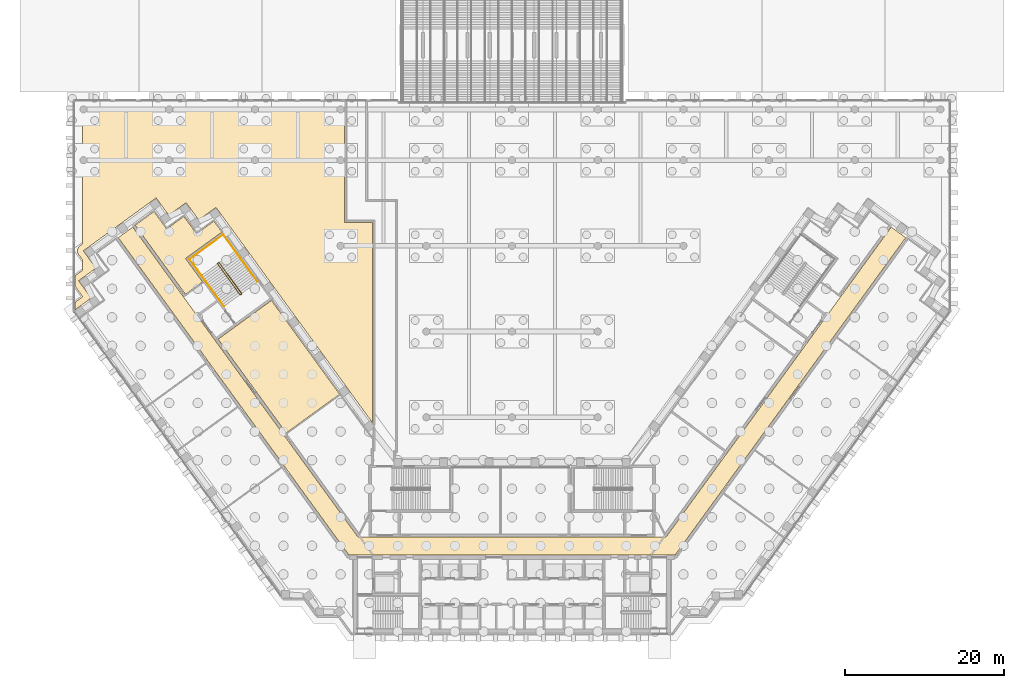
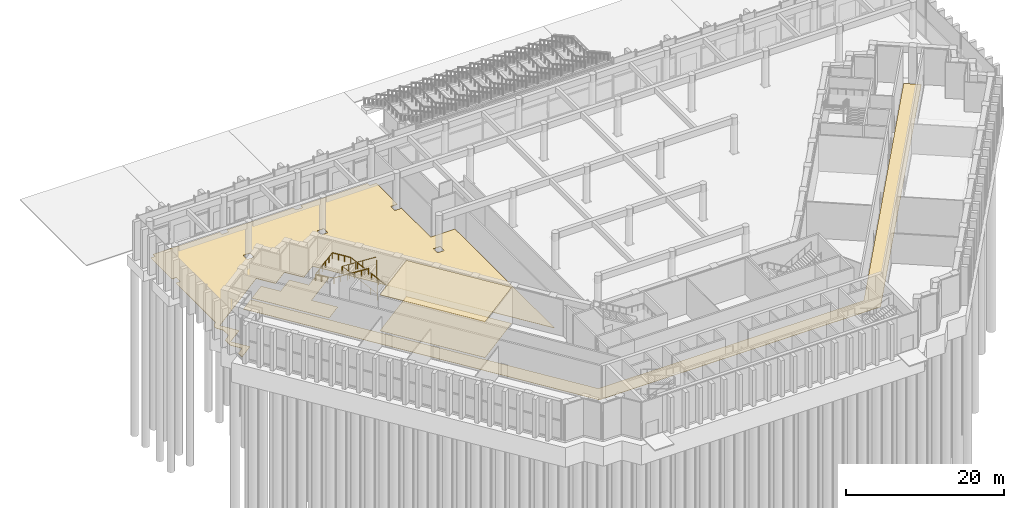
# One storey, part 26 of 32: 5 coverings, 2 railings.
"""IFC4 building model written with IfcOpenShell, lengths in metres."""

from ifc_helpers import new_model, si_unit, direction, frame, origin, origin_2d, place, context, subcontext, project, spatial, polyline, circle, outline, extrude, material, layer, layer_set, type_object, element, save


model = new_model("IFC4")

# Units and contexts
model_context = context("Model", 3, precision=1e-05, world=origin(), true_north=direction((0.0, 1.0)))
body_context = subcontext(model_context, "Body", "Model", "MODEL_VIEW")
ifc_project = project(units=[si_unit("LENGTHUNIT", "METRE"), si_unit("AREAUNIT", "SQUARE_METRE"), si_unit("VOLUMEUNIT", "CUBIC_METRE"), si_unit("PLANEANGLEUNIT", "RADIAN"), si_unit("MASSUNIT", "GRAM", prefix="KILO")], contexts=[model_context])

# Site, building, storey
site_placement = place(None, origin())
site = spatial("IfcSite", under=ifc_project, at=site_placement, CompositionType="ELEMENT")
building_placement = place(site_placement, origin())
building = spatial("IfcBuilding", under=site, at=building_placement, Name="Quipu Civic Tower", CompositionType="ELEMENT")
storey_placement = place(building_placement, origin())
storey = spatial("IfcBuildingStorey", under=building, at=storey_placement, Name="L00", CompositionType="ELEMENT", Elevation=0.0)

# Coverings
ifc_material_1 = material(Name="Mineral fibre acoustic ceiling tile")
ifc_layer_1 = layer(ifc_material_1, 0.0400390625)
ifc_layer_set_1 = layer_set([ifc_layer_1], Name="Mineral fibre acoustic ceiling tile")
covering_type_1 = type_object("IfcCoveringType", Name="Acoustic ceiling tile 600 x 600", PredefinedType="CEILING", material=ifc_layer_set_1)
covering_1_placement = place(storey_placement, frame((0.0, 0.0, 5.56005859375)))
element("IfcCovering", 1, at=covering_1_placement, inside=storey, type_object=covering_type_1, Name="Acoustic ceiling tile 600 x 600", PredefinedType="CEILING", context=body_context, shape_type="SweptSolid", body=[
    extrude(outline(polyline([(-37.0380859375, 26.0380859375), (-30.31494140625, 30.922119140625), (-21.73095703125, 19.10595703125), (-28.4541015625, 14.221923828125), (-37.0380859375, 26.0380859375)])), origin(), (0.0, 0.0, 1.0), 0.0400390625),
])
ifc_material_2 = material(Name="Carpet tile on raised access floor")
ifc_layer_2 = layer(ifc_material_2, 0.02001953125)
ifc_layer_set_2 = layer_set([ifc_layer_2], Name="Carpet tile on raised access floor")
covering_type_2 = type_object("IfcCoveringType", Name="Carpet tile floor finish 20", PredefinedType="FLOORING", material=ifc_layer_set_2)
covering_2_placement = place(storey_placement, origin())
element("IfcCovering", 2, at=covering_2_placement, inside=storey, type_object=covering_type_2, Name="Carpet tile floor finish 20", PredefinedType="FLOORING", context=body_context, shape_type="SweptSolid", body=[
    extrude(outline(polyline([(-47.471923828125, 40.39794921875), (-45.116943359375, 42.10791015625), (-43.531982421875, 39.925048828125), (-41.346923828125, 41.510986328125), (-39.760009765625, 39.326904296875), (-37.574951171875, 40.9130859375), (-36.570068359375, 39.530029296875), (-41.139892578125, 36.208984375), (-38.998046875, 33.260009765625), (-41.15087890625, 31.697021484375), (-47.471923828125, 40.39794921875)])), origin(), (0.0, 0.0, 1.0), 0.02001953125),
])
covering_3_placement = place(storey_placement, origin())
element("IfcCovering", 3, at=covering_3_placement, inside=storey, type_object=covering_type_2, Name="Carpet tile floor finish 20", PredefinedType="FLOORING", context=body_context, shape_type="SweptSolid", body=[
    extrude(outline(polyline([(-37.0380859375, 26.0380859375), (-30.31494140625, 30.922119140625), (-21.73095703125, 19.10595703125), (-28.4541015625, 14.221923828125), (-37.0380859375, 26.0380859375)])), origin(), (0.0, 0.0, 1.0), 0.02001953125),
])

# Railings
ifc_material_3 = material(Name="Stainless steel", Category="steel")
railing_type_1 = type_object("IfcRailingType", Name="Stair guard 1100", PredefinedType="GUARDRAIL", material=ifc_material_3)
railing_1_placement = place(storey_placement, frame((-34.078857421875, 31.79736328125, 0.176513671875)))
element("IfcRailing", 4, at=railing_1_placement, inside=storey, type_object=railing_type_1, Name="Stair 6 guard", PredefinedType="GUARDRAIL", context=body_context, shape_type="SweptSolid", body=[
    extrude(circle(Radius=0.02392578125, at=origin_2d()), frame((0.0, 0.0, 1.076171875), z_axis=(-0.506622290629, 0.697329019968, 0.507016856276), x_axis=(-0.809026317077, -0.587772420479, 0.0)), (0.0, 0.0, 1.0), 5.56884765625),
    extrude(circle(Radius=0.02392578125, at=origin_2d()), frame((-2.8212890625, 3.88330078125, 3.8994140625), z_axis=(-0.987846838465, 0.155430446612, 0.0), x_axis=(-0.155430446612, -0.987846838465, 0.0)), (0.0, 0.0, 1.0), 0.07080078125),
    extrude(circle(Radius=0.02392578125, at=origin_2d()), frame((-2.89111328125, 3.894287109375, 3.8994140625), z_axis=(-0.809649071907, -0.586914287065, 0.0), x_axis=(0.586914287065, -0.809649071907, 0.0)), (0.0, 0.0, 1.0), 0.150146484375),
    extrude(circle(Radius=0.02392578125, at=origin_2d()), frame((-3.0126953125, 3.80615234375, 3.8994140625), z_axis=(-0.057780222547, -0.367225414408, 0.928335575584), x_axis=(0.987846838465, -0.155430446612, 0.0)), (0.0, 0.0, 1.0), 0.190185546875),
    extrude(circle(Radius=0.02392578125, at=origin_2d()), frame((-3.023681640625, 3.736328125, 4.076171875), z_axis=(0.506622290629, -0.697329019968, 0.507016856276), x_axis=(0.809026317077, 0.587772420479, 0.0)), (0.0, 0.0, 1.0), 5.56884765625),
    extrude(circle(Radius=0.02392578125, at=origin_2d()), frame((-0.202392578125, -0.14697265625, 6.8994140625), z_axis=(0.031882188822, 0.012850474066, -0.999409021048), x_axis=(-0.373837031195, 0.92749440651, 0.0)), (0.0, 0.0, 1.0), 6.003662109375),
    extrude(circle(Radius=0.02392578125, at=origin_2d()), frame((-0.010986328125, -0.06982421875, 0.8994140625), z_axis=(-0.809087927272, -0.587687609145, 0.0), x_axis=(0.587687609145, -0.809087927272, 0.0)), (0.0, 0.0, 1.0), 0.14990234375),
    extrude(circle(Radius=0.02099609375, at=origin_2d()), origin(), (0.0, 0.0, 1.0), 1.052001953125),
    extrude(circle(Radius=0.02099609375, at=origin_2d()), frame((-0.564208984375, 0.776611328125, 0.564697265625)), (0.0, 0.0, 1.0), 1.052001953125),
    extrude(circle(Radius=0.02099609375, at=origin_2d()), frame((-1.12841796875, 1.55322265625, 1.12939453125)), (0.0, 0.0, 1.0), 1.052001953125),
    extrude(circle(Radius=0.02099609375, at=origin_2d()), frame((-1.69287109375, 2.330078125, 1.694091796875)), (0.0, 0.0, 1.0), 1.052001953125),
    extrude(circle(Radius=0.02099609375, at=origin_2d()), frame((-2.257080078125, 3.106689453125, 2.2587890625)), (0.0, 0.0, 1.0), 1.052001953125),
    extrude(circle(Radius=0.02099609375, at=origin_2d()), frame((-2.8212890625, 3.88330078125, 2.823486328125)), (0.0, 0.0, 1.0), 1.052001953125),
    extrude(circle(Radius=0.02099609375, at=origin_2d()), frame((-2.89111328125, 3.894287109375, 2.823486328125)), (0.0, 0.0, 1.0), 1.052001953125),
    extrude(circle(Radius=0.02099609375, at=origin_2d()), frame((-3.0126953125, 3.80615234375, 2.823486328125)), (0.0, 0.0, 1.0), 1.052001953125),
    extrude(circle(Radius=0.02099609375, at=origin_2d()), frame((-3.023681640625, 3.736328125, 3.0)), (0.0, 0.0, 1.0), 1.052001953125),
    extrude(circle(Radius=0.02099609375, at=origin_2d()), frame((-2.45947265625, 2.959716796875, 3.564697265625)), (0.0, 0.0, 1.0), 1.052001953125),
    extrude(circle(Radius=0.02099609375, at=origin_2d()), frame((-1.895263671875, 2.18310546875, 4.12939453125)), (0.0, 0.0, 1.0), 1.052001953125),
    extrude(circle(Radius=0.02099609375, at=origin_2d()), frame((-1.330810546875, 1.40625, 4.694091796875)), (0.0, 0.0, 1.0), 1.052001953125),
    extrude(circle(Radius=0.02099609375, at=origin_2d()), frame((-0.7666015625, 0.629638671875, 5.2587890625)), (0.0, 0.0, 1.0), 1.052001953125),
    extrude(circle(Radius=0.02099609375, at=origin_2d()), frame((-0.202392578125, -0.14697265625, 5.823486328125)), (0.0, 0.0, 1.0), 1.052001953125),
    extrude(circle(Radius=0.02099609375, at=origin_2d()), frame((-0.17041015625, -0.134033203125, 4.823486328125)), (0.0, 0.0, 1.0), 1.052001953125),
    extrude(circle(Radius=0.02099609375, at=origin_2d()), frame((-0.138671875, -0.121337890625, 3.823486328125)), (0.0, 0.0, 1.0), 1.052001953125),
    extrude(circle(Radius=0.02099609375, at=origin_2d()), frame((-0.106689453125, -0.1083984375, 2.823486328125)), (0.0, 0.0, 1.0), 1.052001953125),
    extrude(circle(Radius=0.02099609375, at=origin_2d()), frame((-0.07470703125, -0.095458984375, 1.823486328125)), (0.0, 0.0, 1.0), 1.052001953125),
    extrude(circle(Radius=0.02099609375, at=origin_2d()), frame((-0.04296875, -0.082763671875, 0.823486328125)), (0.0, 0.0, 1.0), 1.052001953125),
    extrude(circle(Radius=0.02099609375, at=origin_2d()), frame((-0.010986328125, -0.06982421875, -0.176513671875)), (0.0, 0.0, 1.0), 1.052001953125),
    extrude(circle(Radius=0.02099609375, at=origin_2d()), frame((-0.13232421875, -0.157958984375, -0.176513671875)), (0.0, 0.0, 1.0), 1.052001953125),
])
ifc_material_4 = material(Name="Stainless steel", Category="steel")
railing_type_2 = type_object("IfcRailingType", Name="Stair handrail", PredefinedType="HANDRAIL", material=ifc_material_4)
railing_2_placement = place(storey_placement, frame((-32.056396484375, 33.266845703125, 0.176513671875)))
element("IfcRailing", 5, at=railing_2_placement, inside=storey, type_object=railing_type_2, Name="Stair 6 handrail", PredefinedType="HANDRAIL", context=body_context, shape_type="SweptSolid", body=[
    extrude(circle(Radius=0.02392578125, at=origin_2d()), frame((0.0, 0.0, 0.8759765625), z_axis=(-0.506622290629, 0.697329019968, 0.507016856276), x_axis=(-0.809026317077, -0.587772420479, 0.0)), (0.0, 0.0, 1.0), 5.56884765625),
    extrude(circle(Radius=0.02392578125, at=origin_2d()), frame((-2.8212890625, 3.88330078125, 3.69921875), z_axis=(-0.587767432704, 0.809029940764, 0.0), x_axis=(-0.809029940764, -0.587767432704, 0.0)), (0.0, 0.0, 1.0), 2.550048828125),
    extrude(circle(Radius=0.02392578125, at=origin_2d()), frame((-4.320068359375, 5.9462890625, 3.69921875), z_axis=(-0.809009483706, -0.587795589702, 0.0), x_axis=(0.587795589702, -0.809009483706, 0.0)), (0.0, 0.0, 1.0), 5.25),
    extrude(circle(Radius=0.02392578125, at=origin_2d()), frame((-8.5673828125, 2.8603515625, 3.69921875), z_axis=(0.586364261901, -0.80709855238, 0.069057071405), x_axis=(0.809029940764, 0.587767432704, 0.0)), (0.0, 0.0, 1.0), 2.55615234375),
    extrude(circle(Radius=0.02392578125, at=origin_2d()), frame((-7.068603515625, 0.79736328125, 3.8759765625), z_axis=(0.506622290629, -0.697329019968, 0.507016856276), x_axis=(0.809026317077, 0.587772420479, 0.0)), (0.0, 0.0, 1.0), 5.56884765625),
    extrude(circle(Radius=0.02099609375, at=origin_2d()), origin(), (0.0, 0.0, 1.0), 0.851806640625),
    extrude(circle(Radius=0.02099609375, at=origin_2d()), frame((-0.564208984375, 0.776611328125, 0.564697265625)), (0.0, 0.0, 1.0), 0.851806640625),
    extrude(circle(Radius=0.02099609375, at=origin_2d()), frame((-1.12841796875, 1.55322265625, 1.12939453125)), (0.0, 0.0, 1.0), 0.851806640625),
    extrude(circle(Radius=0.02099609375, at=origin_2d()), frame((-1.69287109375, 2.330078125, 1.694091796875)), (0.0, 0.0, 1.0), 0.851806640625),
    extrude(circle(Radius=0.02099609375, at=origin_2d()), frame((-2.257080078125, 3.106689453125, 2.2587890625)), (0.0, 0.0, 1.0), 0.851806640625),
    extrude(circle(Radius=0.02099609375, at=origin_2d()), frame((-2.8212890625, 3.88330078125, 2.823486328125)), (0.0, 0.0, 1.0), 0.851806640625),
    extrude(circle(Radius=0.02099609375, at=origin_2d()), frame((-3.32080078125, 4.571044921875, 2.823486328125)), (0.0, 0.0, 1.0), 0.851806640625),
    extrude(circle(Radius=0.02099609375, at=origin_2d()), frame((-3.820556640625, 5.258544921875, 2.823486328125)), (0.0, 0.0, 1.0), 0.851806640625),
    extrude(circle(Radius=0.02099609375, at=origin_2d()), frame((-4.320068359375, 5.9462890625, 2.823486328125)), (0.0, 0.0, 1.0), 0.851806640625),
    extrude(circle(Radius=0.02099609375, at=origin_2d()), frame((-5.16943359375, 5.3291015625, 2.823486328125)), (0.0, 0.0, 1.0), 0.851806640625),
    extrude(circle(Radius=0.02099609375, at=origin_2d()), frame((-6.01904296875, 4.7119140625, 2.823486328125)), (0.0, 0.0, 1.0), 0.851806640625),
    extrude(circle(Radius=0.02099609375, at=origin_2d()), frame((-6.868408203125, 4.0947265625, 2.823486328125)), (0.0, 0.0, 1.0), 0.851806640625),
    extrude(circle(Radius=0.02099609375, at=origin_2d()), frame((-7.718017578125, 3.4775390625, 2.823486328125)), (0.0, 0.0, 1.0), 0.851806640625),
    extrude(circle(Radius=0.02099609375, at=origin_2d()), frame((-8.5673828125, 2.8603515625, 2.823486328125)), (0.0, 0.0, 1.0), 0.851806640625),
    extrude(circle(Radius=0.02099609375, at=origin_2d()), frame((-8.06787109375, 2.172607421875, 2.88232421875)), (0.0, 0.0, 1.0), 0.851806640625),
    extrude(circle(Radius=0.02099609375, at=origin_2d()), frame((-7.568115234375, 1.485107421875, 2.941162109375)), (0.0, 0.0, 1.0), 0.851806640625),
    extrude(circle(Radius=0.02099609375, at=origin_2d()), frame((-7.068603515625, 0.79736328125, 3.0)), (0.0, 0.0, 1.0), 0.851806640625),
    extrude(circle(Radius=0.02099609375, at=origin_2d()), frame((-6.50439453125, 0.020751953125, 3.564697265625)), (0.0, 0.0, 1.0), 0.851806640625),
    extrude(circle(Radius=0.02099609375, at=origin_2d()), frame((-5.940185546875, -0.755859375, 4.12939453125)), (0.0, 0.0, 1.0), 0.851806640625),
    extrude(circle(Radius=0.02099609375, at=origin_2d()), frame((-5.375732421875, -1.53271484375, 4.694091796875)), (0.0, 0.0, 1.0), 0.851806640625),
    extrude(circle(Radius=0.02099609375, at=origin_2d()), frame((-4.8115234375, -2.309326171875, 5.2587890625)), (0.0, 0.0, 1.0), 0.851806640625),
    extrude(circle(Radius=0.02099609375, at=origin_2d()), frame((-4.247314453125, -3.0859375, 5.823486328125)), (0.0, 0.0, 1.0), 0.851806640625),
])

# Coverings
ifc_material_5 = material(Name="Terrazzo floor finish")
ifc_layer_3 = layer(ifc_material_5, 0.0400390625)
ifc_layer_set_3 = layer_set([ifc_layer_3], Name="Terrazzo floor finish")
covering_type_3 = type_object("IfcCoveringType", Name="Terrazzo floor finish 40", PredefinedType="FLOORING", material=ifc_layer_set_3)
covering_4_placement = place(storey_placement, origin())
element("IfcCovering", 6, at=covering_4_placement, inside=storey, type_object=covering_type_3, Name="Terrazzo floor finish 40", PredefinedType="FLOORING", context=body_context, shape_type="SweptSolid", body=[
    extrude(outline(polyline([(47.787109375, 40.16796875), (49.615966796875, 38.840087890625), (20.574951171875, -1.1298828125), (-20.574951171875, -1.1298828125), (-49.615966796875, 38.840087890625), (-47.787109375, 40.16796875), (-19.425048828125, 1.1298828125), (19.425048828125, 1.1298828125), (47.787109375, 40.16796875)])), origin(), (0.0, 0.0, 1.0), 0.0400390625),
])
covering_5_placement = place(storey_placement, origin())
element("IfcCovering", 7, at=covering_5_placement, inside=storey, type_object=covering_type_3, Name="Terrazzo floor finish 40", PredefinedType="FLOORING", context=body_context, shape_type="SweptSolid", body=[
    extrude(outline(polyline([(-55.013916015625, 29.806884765625), (-55.0439453125, 29.80810546875), (-55.0439453125, 30.705078125), (-54.14306640625, 31.361083984375), (-54.14599609375, 31.447998046875), (-55.0439453125, 32.68505859375), (-55.0439453125, 34.0390625), (-54.14404296875, 34.698974609375), (-54.14404296875, 36.0390625), (-54.64404296875, 36.73388671875), (-54.714111328125, 36.885986328125), (-54.736083984375, 36.9619140625), (-54.759033203125, 37.126953125), (-54.7490234375, 37.29296875), (-54.73291015625, 37.368896484375), (-54.675048828125, 37.527099609375), (-54.635986328125, 37.597900390625), (-54.590087890625, 37.6650390625), (-54.47705078125, 37.787109375), (-54.14404296875, 38.035888671875), (-54.14404296875, 48.10009765625), (-53.550048828125, 48.10009765625), (-53.544921875, 48.10009765625), (-53.5400390625, 48.10107421875), (-53.534912109375, 48.10205078125), (-53.531005859375, 48.10400390625), (-53.52587890625, 48.10595703125), (-53.52197265625, 48.10791015625), (-53.51806640625, 48.111083984375), (-53.514892578125, 48.114990234375), (-53.510986328125, 48.117919921875), (-53.508056640625, 48.1220703125), (-53.506103515625, 48.1259765625), (-53.50390625, 48.131103515625), (-53.501953125, 48.135009765625), (-53.5009765625, 48.139892578125), (-53.5, 48.14501953125), (-53.5, 48.14990234375), (-53.5, 49.050048828125), (-53.5, 49.054931640625), (-53.5009765625, 49.06005859375), (-53.501953125, 49.06494140625), (-53.50390625, 49.069091796875), (-53.506103515625, 49.073974609375), (-53.508056640625, 49.077880859375), (-53.510986328125, 49.08203125), (-53.514892578125, 49.0849609375), (-53.51806640625, 49.089111328125), (-53.52197265625, 49.092041015625), (-53.52587890625, 49.093994140625), (-53.531005859375, 49.095947265625), (-53.534912109375, 49.097900390625), (-53.5400390625, 49.09912109375), (-53.544921875, 49.10009765625), (-53.550048828125, 49.10009765625), (-54.14404296875, 49.10009765625), (-54.14404296875, 54.5), (-53.550048828125, 54.5), (-53.544921875, 54.5), (-53.5400390625, 54.5009765625), (-53.534912109375, 54.501953125), (-53.531005859375, 54.50390625), (-53.52587890625, 54.506103515625), (-53.52197265625, 54.508056640625), (-53.51806640625, 54.510986328125), (-53.514892578125, 54.514892578125), (-53.510986328125, 54.51806640625), (-53.508056640625, 54.52197265625), (-53.506103515625, 54.52587890625), (-53.50390625, 54.531005859375), (-53.501953125, 54.534912109375), (-53.5009765625, 54.5400390625), (-53.5, 54.544921875), (-53.5, 54.550048828125), (-53.5, 55.030029296875), (-43.699951171875, 55.030029296875), (-43.699951171875, 54.550048828125), (-43.699951171875, 54.544921875), (-43.698974609375, 54.5400390625), (-43.697998046875, 54.534912109375), (-43.696044921875, 54.531005859375), (-43.694091796875, 54.52587890625), (-43.69189453125, 54.52197265625), (-43.68896484375, 54.51806640625), (-43.68505859375, 54.514892578125), (-43.681884765625, 54.510986328125), (-43.677978515625, 54.508056640625), (-43.674072265625, 54.506103515625), (-43.6689453125, 54.50390625), (-43.6650390625, 54.501953125), (-43.659912109375, 54.5009765625), (-43.655029296875, 54.5), (-43.64990234375, 54.5), (-42.75, 54.5), (-42.7451171875, 54.5), (-42.739990234375, 54.5009765625), (-42.735107421875, 54.501953125), (-42.73095703125, 54.50390625), (-42.72607421875, 54.506103515625), (-42.721923828125, 54.508056640625), (-42.718017578125, 54.510986328125), (-42.715087890625, 54.514892578125), (-42.7109375, 54.51806640625), (-42.7080078125, 54.52197265625), (-42.7060546875, 54.52587890625), (-42.7041015625, 54.531005859375), (-42.701904296875, 54.534912109375), (-42.700927734375, 54.5400390625), (-42.699951171875, 54.544921875), (-42.699951171875, 54.550048828125), (-42.699951171875, 55.030029296875), (-32.89990234375, 55.030029296875), (-32.89990234375, 54.550048828125), (-32.89990234375, 54.544921875), (-32.89892578125, 54.5400390625), (-32.89794921875, 54.534912109375), (-32.89599609375, 54.531005859375), (-32.89404296875, 54.52587890625), (-32.89208984375, 54.52197265625), (-32.888916015625, 54.51806640625), (-32.885009765625, 54.514892578125), (-32.882080078125, 54.510986328125), (-32.8779296875, 54.508056640625), (-32.8740234375, 54.506103515625), (-32.868896484375, 54.50390625), (-32.864990234375, 54.501953125), (-32.860107421875, 54.5009765625), (-32.85498046875, 54.5), (-32.85009765625, 54.5), (-31.949951171875, 54.5), (-31.945068359375, 54.5), (-31.93994140625, 54.5009765625), (-31.93505859375, 54.501953125), (-31.930908203125, 54.50390625), (-31.926025390625, 54.506103515625), (-31.922119140625, 54.508056640625), (-31.91796875, 54.510986328125), (-31.9150390625, 54.514892578125), (-31.910888671875, 54.51806640625), (-31.907958984375, 54.52197265625), (-31.906005859375, 54.52587890625), (-31.904052734375, 54.531005859375), (-31.902099609375, 54.534912109375), (-31.90087890625, 54.5400390625), (-31.89990234375, 54.544921875), (-31.89990234375, 54.550048828125), (-31.89990234375, 55.030029296875), (-22.10009765625, 55.030029296875), (-22.10009765625, 54.550048828125), (-22.10009765625, 54.544921875), (-22.09912109375, 54.5400390625), (-22.097900390625, 54.534912109375), (-22.095947265625, 54.531005859375), (-22.093994140625, 54.52587890625), (-22.092041015625, 54.52197265625), (-22.089111328125, 54.51806640625), (-22.0849609375, 54.514892578125), (-22.08203125, 54.510986328125), (-22.077880859375, 54.508056640625), (-22.073974609375, 54.506103515625), (-22.069091796875, 54.50390625), (-22.06494140625, 54.501953125), (-22.06005859375, 54.5009765625), (-22.054931640625, 54.5), (-22.050048828125, 54.5), (-21.14990234375, 54.5), (-21.14501953125, 54.5), (-21.139892578125, 54.5009765625), (-21.135009765625, 54.501953125), (-21.131103515625, 54.50390625), (-21.1259765625, 54.506103515625), (-21.1220703125, 54.508056640625), (-21.117919921875, 54.510986328125), (-21.114990234375, 54.514892578125), (-21.111083984375, 54.51806640625), (-21.110107421875, 54.52001953125), (-21.110107421875, 49.080078125), (-21.111083984375, 49.08203125), (-21.114990234375, 49.0849609375), (-21.117919921875, 49.089111328125), (-21.1220703125, 49.092041015625), (-21.1259765625, 49.093994140625), (-21.131103515625, 49.095947265625), (-21.135009765625, 49.097900390625), (-21.139892578125, 49.09912109375), (-21.14501953125, 49.10009765625), (-21.14990234375, 49.10009765625), (-22.050048828125, 49.10009765625), (-22.054931640625, 49.10009765625), (-22.06005859375, 49.09912109375), (-22.06494140625, 49.097900390625), (-22.069091796875, 49.095947265625), (-22.073974609375, 49.093994140625), (-22.077880859375, 49.092041015625), (-22.08203125, 49.089111328125), (-22.0849609375, 49.0849609375), (-22.089111328125, 49.08203125), (-22.092041015625, 49.077880859375), (-22.093994140625, 49.073974609375), (-22.095947265625, 49.069091796875), (-22.097900390625, 49.06494140625), (-22.09912109375, 49.06005859375), (-22.10009765625, 49.054931640625), (-22.10009765625, 49.050048828125), (-22.10009765625, 48.14990234375), (-22.10009765625, 48.14501953125), (-22.09912109375, 48.139892578125), (-22.097900390625, 48.135009765625), (-22.095947265625, 48.131103515625), (-22.093994140625, 48.1259765625), (-22.092041015625, 48.1220703125), (-22.089111328125, 48.117919921875), (-22.0849609375, 48.114990234375), (-22.08203125, 48.111083984375), (-22.077880859375, 48.10791015625), (-22.073974609375, 48.10595703125), (-22.069091796875, 48.10400390625), (-22.06494140625, 48.10205078125), (-22.06005859375, 48.10107421875), (-22.054931640625, 48.10009765625), (-22.050048828125, 48.10009765625), (-21.14990234375, 48.10009765625), (-21.14501953125, 48.10009765625), (-21.139892578125, 48.10107421875), (-21.135009765625, 48.10205078125), (-21.131103515625, 48.10400390625), (-21.1259765625, 48.10595703125), (-21.1220703125, 48.10791015625), (-21.117919921875, 48.111083984375), (-21.114990234375, 48.114990234375), (-21.111083984375, 48.117919921875), (-21.110107421875, 48.1201171875), (-21.110107421875, 40.73193359375), (-17.550048828125, 40.72998046875), (-17.550048828125, 15.4609375), (-37.301025390625, 42.64501953125), (-39.485107421875, 41.05908203125), (-41.072021484375, 43.241943359375), (-43.257080078125, 41.656005859375), (-44.844970703125, 43.839111328125), (-54.01708984375, 37.176025390625), (-52.430908203125, 34.989990234375), (-54.614013671875, 33.402099609375), (-53.028076171875, 31.218994140625), (-55.01904296875, 29.77197265625), (-55.013916015625, 29.806884765625)]), holes=[polyline([(-22.050048828125, 38.300048828125), (-22.054931640625, 38.300048828125), (-22.06005859375, 38.299072265625), (-22.06494140625, 38.298095703125), (-22.069091796875, 38.2958984375), (-22.073974609375, 38.2939453125), (-22.077880859375, 38.2919921875), (-22.08203125, 38.2890625), (-22.0849609375, 38.284912109375), (-22.089111328125, 38.281982421875), (-22.092041015625, 38.278076171875), (-22.093994140625, 38.27392578125), (-22.095947265625, 38.26904296875), (-22.097900390625, 38.264892578125), (-22.09912109375, 38.260009765625), (-22.10009765625, 38.2548828125), (-22.10009765625, 38.25), (-22.10009765625, 37.35009765625), (-22.10009765625, 37.344970703125), (-22.09912109375, 37.340087890625), (-22.097900390625, 37.3349609375), (-22.095947265625, 37.3310546875), (-22.093994140625, 37.325927734375), (-22.092041015625, 37.322021484375), (-22.089111328125, 37.318115234375), (-22.0849609375, 37.31494140625), (-22.08203125, 37.31103515625), (-22.077880859375, 37.30810546875), (-22.073974609375, 37.305908203125), (-22.069091796875, 37.303955078125), (-22.06494140625, 37.302001953125), (-22.06005859375, 37.301025390625), (-22.054931640625, 37.300048828125), (-22.050048828125, 37.300048828125), (-21.14990234375, 37.300048828125), (-21.14501953125, 37.300048828125), (-21.139892578125, 37.301025390625), (-21.135009765625, 37.302001953125), (-21.131103515625, 37.303955078125), (-21.1259765625, 37.305908203125), (-21.1220703125, 37.30810546875), (-21.117919921875, 37.31103515625), (-21.114990234375, 37.31494140625), (-21.111083984375, 37.318115234375), (-21.10791015625, 37.322021484375), (-21.10595703125, 37.325927734375), (-21.10400390625, 37.3310546875), (-21.10205078125, 37.3349609375), (-21.10107421875, 37.340087890625), (-21.10009765625, 37.344970703125), (-21.10009765625, 37.35009765625), (-21.10009765625, 38.25), (-21.10009765625, 38.2548828125), (-21.10107421875, 38.260009765625), (-21.10205078125, 38.264892578125), (-21.10400390625, 38.26904296875), (-21.10595703125, 38.27392578125), (-21.10791015625, 38.278076171875), (-21.111083984375, 38.281982421875), (-21.114990234375, 38.284912109375), (-21.117919921875, 38.2890625), (-21.1220703125, 38.2919921875), (-21.1259765625, 38.2939453125), (-21.131103515625, 38.2958984375), (-21.135009765625, 38.298095703125), (-21.139892578125, 38.299072265625), (-21.14501953125, 38.300048828125), (-21.14990234375, 38.300048828125), (-22.050048828125, 38.300048828125)]), polyline([(-32.85009765625, 49.10009765625), (-32.85498046875, 49.10009765625), (-32.860107421875, 49.09912109375), (-32.864990234375, 49.097900390625), (-32.868896484375, 49.095947265625), (-32.8740234375, 49.093994140625), (-32.8779296875, 49.092041015625), (-32.882080078125, 49.089111328125), (-32.885009765625, 49.0849609375), (-32.888916015625, 49.08203125), (-32.89208984375, 49.077880859375), (-32.89404296875, 49.073974609375), (-32.89599609375, 49.069091796875), (-32.89794921875, 49.06494140625), (-32.89892578125, 49.06005859375), (-32.89990234375, 49.054931640625), (-32.89990234375, 49.050048828125), (-32.89990234375, 48.14990234375), (-32.89990234375, 48.14501953125), (-32.89892578125, 48.139892578125), (-32.89794921875, 48.135009765625), (-32.89599609375, 48.131103515625), (-32.89404296875, 48.1259765625), (-32.89208984375, 48.1220703125), (-32.888916015625, 48.117919921875), (-32.885009765625, 48.114990234375), (-32.882080078125, 48.111083984375), (-32.8779296875, 48.10791015625), (-32.8740234375, 48.10595703125), (-32.868896484375, 48.10400390625), (-32.864990234375, 48.10205078125), (-32.860107421875, 48.10107421875), (-32.85498046875, 48.10009765625), (-32.85009765625, 48.10009765625), (-31.949951171875, 48.10009765625), (-31.945068359375, 48.10009765625), (-31.93994140625, 48.10107421875), (-31.93505859375, 48.10205078125), (-31.930908203125, 48.10400390625), (-31.926025390625, 48.10595703125), (-31.922119140625, 48.10791015625), (-31.91796875, 48.111083984375), (-31.9150390625, 48.114990234375), (-31.910888671875, 48.117919921875), (-31.907958984375, 48.1220703125), (-31.906005859375, 48.1259765625), (-31.904052734375, 48.131103515625), (-31.902099609375, 48.135009765625), (-31.90087890625, 48.139892578125), (-31.89990234375, 48.14501953125), (-31.89990234375, 48.14990234375), (-31.89990234375, 49.050048828125), (-31.89990234375, 49.054931640625), (-31.90087890625, 49.06005859375), (-31.902099609375, 49.06494140625), (-31.904052734375, 49.069091796875), (-31.906005859375, 49.073974609375), (-31.907958984375, 49.077880859375), (-31.910888671875, 49.08203125), (-31.9150390625, 49.0849609375), (-31.91796875, 49.089111328125), (-31.922119140625, 49.092041015625), (-31.926025390625, 49.093994140625), (-31.930908203125, 49.095947265625), (-31.93505859375, 49.097900390625), (-31.93994140625, 49.09912109375), (-31.945068359375, 49.10009765625), (-31.949951171875, 49.10009765625), (-32.85009765625, 49.10009765625)]), polyline([(-43.64990234375, 49.10009765625), (-43.655029296875, 49.10009765625), (-43.659912109375, 49.09912109375), (-43.6650390625, 49.097900390625), (-43.6689453125, 49.095947265625), (-43.674072265625, 49.093994140625), (-43.677978515625, 49.092041015625), (-43.681884765625, 49.089111328125), (-43.68505859375, 49.0849609375), (-43.68896484375, 49.08203125), (-43.69189453125, 49.077880859375), (-43.694091796875, 49.073974609375), (-43.696044921875, 49.069091796875), (-43.697998046875, 49.06494140625), (-43.698974609375, 49.06005859375), (-43.699951171875, 49.054931640625), (-43.699951171875, 49.050048828125), (-43.699951171875, 48.14990234375), (-43.699951171875, 48.14501953125), (-43.698974609375, 48.139892578125), (-43.697998046875, 48.135009765625), (-43.696044921875, 48.131103515625), (-43.694091796875, 48.1259765625), (-43.69189453125, 48.1220703125), (-43.68896484375, 48.117919921875), (-43.68505859375, 48.114990234375), (-43.681884765625, 48.111083984375), (-43.677978515625, 48.10791015625), (-43.674072265625, 48.10595703125), (-43.6689453125, 48.10400390625), (-43.6650390625, 48.10205078125), (-43.659912109375, 48.10107421875), (-43.655029296875, 48.10009765625), (-43.64990234375, 48.10009765625), (-42.75, 48.10009765625), (-42.7451171875, 48.10009765625), (-42.739990234375, 48.10107421875), (-42.735107421875, 48.10205078125), (-42.73095703125, 48.10400390625), (-42.72607421875, 48.10595703125), (-42.721923828125, 48.10791015625), (-42.718017578125, 48.111083984375), (-42.715087890625, 48.114990234375), (-42.7109375, 48.117919921875), (-42.7080078125, 48.1220703125), (-42.7060546875, 48.1259765625), (-42.7041015625, 48.131103515625), (-42.701904296875, 48.135009765625), (-42.700927734375, 48.139892578125), (-42.699951171875, 48.14501953125), (-42.699951171875, 48.14990234375), (-42.699951171875, 49.050048828125), (-42.699951171875, 49.054931640625), (-42.700927734375, 49.06005859375), (-42.701904296875, 49.06494140625), (-42.7041015625, 49.069091796875), (-42.7060546875, 49.073974609375), (-42.7080078125, 49.077880859375), (-42.7109375, 49.08203125), (-42.715087890625, 49.0849609375), (-42.718017578125, 49.089111328125), (-42.721923828125, 49.092041015625), (-42.72607421875, 49.093994140625), (-42.73095703125, 49.095947265625), (-42.735107421875, 49.097900390625), (-42.739990234375, 49.09912109375), (-42.7451171875, 49.10009765625), (-42.75, 49.10009765625), (-43.64990234375, 49.10009765625)])]), origin(), (0.0, 0.0, 1.0), 0.0400390625),
])

save(model, "model.ifc")
